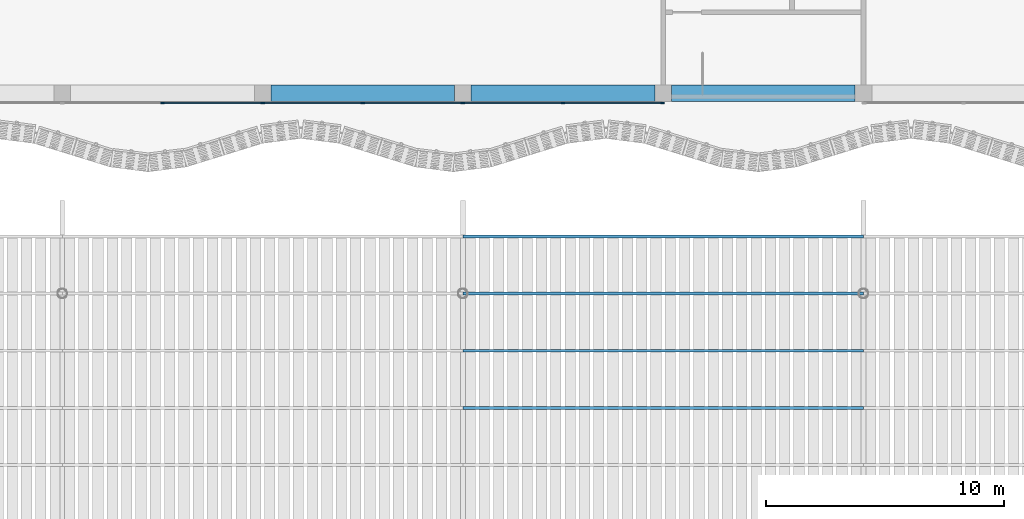
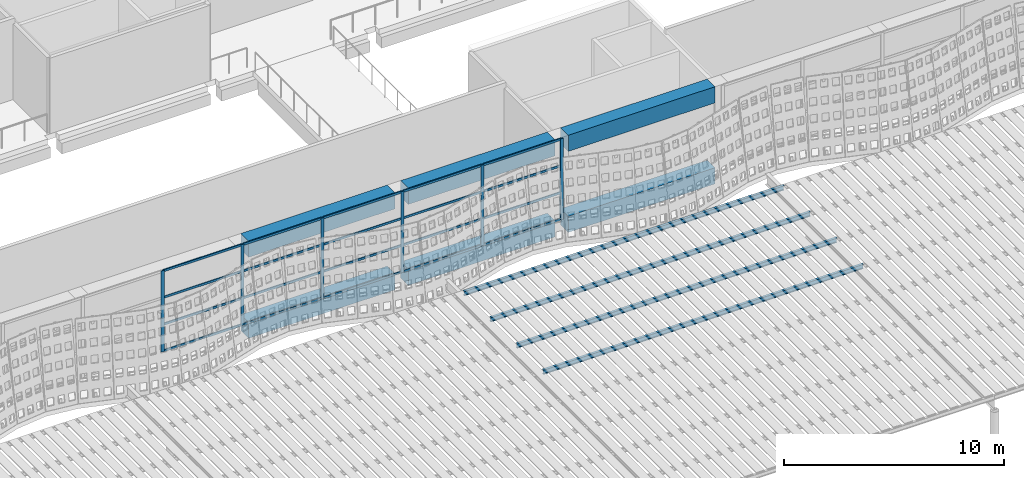
# One storey, part 34 of 162: 30 members, 6 beams, 1 element without a shape of its own.
"""IFC4 building model written with IfcOpenShell, lengths in metres."""

from ifc_helpers import new_model, si_unit, direction, frame, origin, origin_2d, place, context, subcontext, project, spatial, rectangle, i_section, extrude, material, layer, layer_set, material_profile, profile_set, type_object, element, aggregate, save


model = new_model("IFC4")

# Units and contexts
model_context = context("Model", 3, precision=1e-05, world=origin(), true_north=direction((0.0, 1.0)))
body_context = subcontext(model_context, "Body", "Model", "MODEL_VIEW")
ifc_project = project(units=[si_unit("LENGTHUNIT", "METRE"), si_unit("AREAUNIT", "SQUARE_METRE"), si_unit("VOLUMEUNIT", "CUBIC_METRE"), si_unit("PLANEANGLEUNIT", "RADIAN"), si_unit("MASSUNIT", "GRAM", prefix="KILO")], contexts=[model_context])

# Site, building, storey
site_placement = place(None, origin())
site = spatial("IfcSite", under=ifc_project, at=site_placement, CompositionType="ELEMENT")
building_placement = place(site_placement, origin())
building = spatial("IfcBuilding", under=site, at=building_placement, Name="Rain Tree Exposition and Congress Centre", CompositionType="ELEMENT")
storey_placement = place(building_placement, frame((0.0, 0.0, 6.0)))
storey = spatial("IfcBuildingStorey", under=building, at=storey_placement, Name="L01", CompositionType="ELEMENT", Elevation=6.0)

# Curtain wall, members
ifc_material_1 = material(Name="Aluminium curtain wall system", Category="aluminium")
ifc_layer = layer(ifc_material_1, 0.10009765625)
ifc_layer_set = layer_set([ifc_layer], Name="Aluminium curtain wall system")
curtain_wall_type = type_object("IfcCurtainWallType", Name="Concourse curtain wall 4200 module", PredefinedType="NOTDEFINED", material=ifc_layer_set)
curtain_wall_placement = place(storey_placement, origin())
curtain_wall = element("IfcCurtainWall", 1, at=curtain_wall_placement, inside=storey, type_object=curtain_wall_type, Name="Concourse curtain wall CWC24", PredefinedType="NOTDEFINED")
ifc_material_2 = material(Name="Aluminium mullion", Category="aluminium")
ifc_material_profile_1 = material_profile(ifc_material_2, rectangle(XDim=0.06005859375, YDim=0.159912109375, at=origin_2d()), Name="AL 60x160")
ifc_profile_set_1 = profile_set([ifc_material_profile_1], Name="Aluminium mullion")
member_type_1 = type_object("IfcMemberType", Name="Concourse curtain wall mullion 60x160", PredefinedType="MULLION", material=ifc_profile_set_1)
member_1_placement = place(storey_placement, frame((96.60009765625, 75.199951171875, 0.0), z_axis=(0.0, 0.0, 1.0), x_axis=(0.0, 1.0, 0.0)))
member_1 = element("IfcMember", 2, at=member_1_placement, type_object=member_type_1, Name="CWC24 mullion 4", PredefinedType="MULLION", context=body_context, shape_type="SweptSolid", body=[
    extrude(rectangle(XDim=0.06005859375, YDim=0.159912109375, at=origin_2d()), origin(), (0.0, 0.0, 1.0), 4.5),
])
member_2_placement = place(storey_placement, frame((100.800048828125, 75.199951171875, 0.0), z_axis=(0.0, 0.0, 1.0), x_axis=(0.0, 1.0, 0.0)))
member_2 = element("IfcMember", 3, at=member_2_placement, type_object=member_type_1, Name="CWC24 mullion 5", PredefinedType="MULLION", context=body_context, shape_type="SweptSolid", body=[
    extrude(rectangle(XDim=0.06005859375, YDim=0.159912109375, at=origin_2d()), origin(), (0.0, 0.0, 1.0), 4.5),
])
member_3_placement = place(storey_placement, frame((105.0, 75.199951171875, 0.0), z_axis=(0.0, 0.0, 1.0), x_axis=(0.0, 1.0, 0.0)))
member_3 = element("IfcMember", 4, at=member_3_placement, type_object=member_type_1, Name="CWC24 mullion 6", PredefinedType="MULLION", context=body_context, shape_type="SweptSolid", body=[
    extrude(rectangle(XDim=0.06005859375, YDim=0.159912109375, at=origin_2d()), origin(), (0.0, 0.0, 1.0), 4.5),
])
member_4_placement = place(storey_placement, frame((109.199951171875, 75.199951171875, 0.0), z_axis=(0.0, 0.0, 1.0), x_axis=(0.0, 1.0, 0.0)))
member_4 = element("IfcMember", 5, at=member_4_placement, type_object=member_type_1, Name="CWC24 mullion 7", PredefinedType="MULLION", context=body_context, shape_type="SweptSolid", body=[
    extrude(rectangle(XDim=0.06005859375, YDim=0.159912109375, at=origin_2d()), origin(), (0.0, 0.0, 1.0), 4.5),
])
member_5_placement = place(storey_placement, frame((113.39990234375, 75.199951171875, 0.0), z_axis=(0.0, 0.0, 1.0), x_axis=(0.0, 1.0, 0.0)))
member_5 = element("IfcMember", 6, at=member_5_placement, type_object=member_type_1, Name="CWC24 mullion 8", PredefinedType="MULLION", context=body_context, shape_type="SweptSolid", body=[
    extrude(rectangle(XDim=0.06005859375, YDim=0.159912109375, at=origin_2d()), origin(), (0.0, 0.0, 1.0), 4.5),
])
member_6_placement = place(storey_placement, frame((117.570068359375, 75.199951171875, 0.0), z_axis=(0.0, 0.0, 1.0), x_axis=(0.0, 1.0, 0.0)))
member_6 = element("IfcMember", 7, at=member_6_placement, type_object=member_type_1, Name="CWC24 mullion 9", PredefinedType="MULLION", context=body_context, shape_type="SweptSolid", body=[
    extrude(rectangle(XDim=0.06005859375, YDim=0.159912109375, at=origin_2d()), origin(), (0.0, 0.0, 1.0), 4.5),
])
ifc_material_3 = material(Name="Aluminium transom", Category="aluminium")
ifc_material_profile_2 = material_profile(ifc_material_3, rectangle(XDim=0.06005859375, YDim=0.1201171875, at=origin_2d()), Name="AL 60x120")
ifc_profile_set_2 = profile_set([ifc_material_profile_2], Name="Aluminium transom")
member_type_2 = type_object("IfcMemberType", Name="Concourse curtain wall transom 60x120", PredefinedType="USERDEFINED", material=ifc_profile_set_2)
member_7_placement = place(storey_placement, frame((96.6298828125, 75.199951171875, 0.030029296875), z_axis=(1.0, 0.0, 0.0), x_axis=(0.0, 1.0, 0.0)))
member_7 = element("IfcMember", 8, at=member_7_placement, type_object=member_type_2, Name="CWC24 transom 4.1", ObjectType="TRANSOM", PredefinedType="USERDEFINED", context=body_context, shape_type="SweptSolid", body=[
    extrude(rectangle(XDim=0.06005859375, YDim=0.1201171875, at=origin_2d()), origin(), (0.0, 0.0, 1.0), 4.14013671875),
])
member_8_placement = place(storey_placement, frame((96.6298828125, 75.199951171875, 1.5), z_axis=(1.0, 0.0, 0.0), x_axis=(0.0, 1.0, 0.0)))
member_8 = element("IfcMember", 9, at=member_8_placement, type_object=member_type_2, Name="CWC24 transom 4.2", ObjectType="TRANSOM", PredefinedType="USERDEFINED", context=body_context, shape_type="SweptSolid", body=[
    extrude(rectangle(XDim=0.06005859375, YDim=0.1201171875, at=origin_2d()), origin(), (0.0, 0.0, 1.0), 4.14013671875),
])
member_9_placement = place(storey_placement, frame((96.6298828125, 75.199951171875, 3.0), z_axis=(1.0, 0.0, 0.0), x_axis=(0.0, 1.0, 0.0)))
member_9 = element("IfcMember", 10, at=member_9_placement, type_object=member_type_2, Name="CWC24 transom 4.3", ObjectType="TRANSOM", PredefinedType="USERDEFINED", context=body_context, shape_type="SweptSolid", body=[
    extrude(rectangle(XDim=0.06005859375, YDim=0.1201171875, at=origin_2d()), origin(), (0.0, 0.0, 1.0), 4.14013671875),
])
member_10_placement = place(storey_placement, frame((96.6298828125, 75.199951171875, 4.469970703125), z_axis=(1.0, 0.0, 0.0), x_axis=(0.0, 1.0, 0.0)))
member_10 = element("IfcMember", 11, at=member_10_placement, type_object=member_type_2, Name="CWC24 transom 4.4", ObjectType="TRANSOM", PredefinedType="USERDEFINED", context=body_context, shape_type="SweptSolid", body=[
    extrude(rectangle(XDim=0.06005859375, YDim=0.1201171875, at=origin_2d()), origin(), (0.0, 0.0, 1.0), 4.14013671875),
])
member_11_placement = place(storey_placement, frame((100.830078125, 75.199951171875, 0.030029296875), z_axis=(1.0, 0.0, 0.0), x_axis=(0.0, 1.0, 0.0)))
member_11 = element("IfcMember", 12, at=member_11_placement, type_object=member_type_2, Name="CWC24 transom 5.1", ObjectType="TRANSOM", PredefinedType="USERDEFINED", context=body_context, shape_type="SweptSolid", body=[
    extrude(rectangle(XDim=0.06005859375, YDim=0.1201171875, at=origin_2d()), origin(), (0.0, 0.0, 1.0), 4.139892578125),
])
member_12_placement = place(storey_placement, frame((100.830078125, 75.199951171875, 1.5), z_axis=(1.0, 0.0, 0.0), x_axis=(0.0, 1.0, 0.0)))
member_12 = element("IfcMember", 13, at=member_12_placement, type_object=member_type_2, Name="CWC24 transom 5.2", ObjectType="TRANSOM", PredefinedType="USERDEFINED", context=body_context, shape_type="SweptSolid", body=[
    extrude(rectangle(XDim=0.06005859375, YDim=0.1201171875, at=origin_2d()), origin(), (0.0, 0.0, 1.0), 4.139892578125),
])
member_13_placement = place(storey_placement, frame((100.830078125, 75.199951171875, 3.0), z_axis=(1.0, 0.0, 0.0), x_axis=(0.0, 1.0, 0.0)))
member_13 = element("IfcMember", 14, at=member_13_placement, type_object=member_type_2, Name="CWC24 transom 5.3", ObjectType="TRANSOM", PredefinedType="USERDEFINED", context=body_context, shape_type="SweptSolid", body=[
    extrude(rectangle(XDim=0.06005859375, YDim=0.1201171875, at=origin_2d()), origin(), (0.0, 0.0, 1.0), 4.139892578125),
])
member_14_placement = place(storey_placement, frame((100.830078125, 75.199951171875, 4.469970703125), z_axis=(1.0, 0.0, 0.0), x_axis=(0.0, 1.0, 0.0)))
member_14 = element("IfcMember", 15, at=member_14_placement, type_object=member_type_2, Name="CWC24 transom 5.4", ObjectType="TRANSOM", PredefinedType="USERDEFINED", context=body_context, shape_type="SweptSolid", body=[
    extrude(rectangle(XDim=0.06005859375, YDim=0.1201171875, at=origin_2d()), origin(), (0.0, 0.0, 1.0), 4.139892578125),
])
member_15_placement = place(storey_placement, frame((105.030029296875, 75.199951171875, 0.030029296875), z_axis=(1.0, 0.0, 0.0), x_axis=(0.0, 1.0, 0.0)))
member_15 = element("IfcMember", 16, at=member_15_placement, type_object=member_type_2, Name="CWC24 transom 6.1", ObjectType="TRANSOM", PredefinedType="USERDEFINED", context=body_context, shape_type="SweptSolid", body=[
    extrude(rectangle(XDim=0.06005859375, YDim=0.1201171875, at=origin_2d()), origin(), (0.0, 0.0, 1.0), 4.139892578125),
])
member_16_placement = place(storey_placement, frame((105.030029296875, 75.199951171875, 1.5), z_axis=(1.0, 0.0, 0.0), x_axis=(0.0, 1.0, 0.0)))
member_16 = element("IfcMember", 17, at=member_16_placement, type_object=member_type_2, Name="CWC24 transom 6.2", ObjectType="TRANSOM", PredefinedType="USERDEFINED", context=body_context, shape_type="SweptSolid", body=[
    extrude(rectangle(XDim=0.06005859375, YDim=0.1201171875, at=origin_2d()), origin(), (0.0, 0.0, 1.0), 4.139892578125),
])
member_17_placement = place(storey_placement, frame((105.030029296875, 75.199951171875, 3.0), z_axis=(1.0, 0.0, 0.0), x_axis=(0.0, 1.0, 0.0)))
member_17 = element("IfcMember", 18, at=member_17_placement, type_object=member_type_2, Name="CWC24 transom 6.3", ObjectType="TRANSOM", PredefinedType="USERDEFINED", context=body_context, shape_type="SweptSolid", body=[
    extrude(rectangle(XDim=0.06005859375, YDim=0.1201171875, at=origin_2d()), origin(), (0.0, 0.0, 1.0), 4.139892578125),
])
member_18_placement = place(storey_placement, frame((105.030029296875, 75.199951171875, 4.469970703125), z_axis=(1.0, 0.0, 0.0), x_axis=(0.0, 1.0, 0.0)))
member_18 = element("IfcMember", 19, at=member_18_placement, type_object=member_type_2, Name="CWC24 transom 6.4", ObjectType="TRANSOM", PredefinedType="USERDEFINED", context=body_context, shape_type="SweptSolid", body=[
    extrude(rectangle(XDim=0.06005859375, YDim=0.1201171875, at=origin_2d()), origin(), (0.0, 0.0, 1.0), 4.139892578125),
])
member_19_placement = place(storey_placement, frame((109.22998046875, 75.199951171875, 0.030029296875), z_axis=(1.0, 0.0, 0.0), x_axis=(0.0, 1.0, 0.0)))
member_19 = element("IfcMember", 20, at=member_19_placement, type_object=member_type_2, Name="CWC24 transom 7.1", ObjectType="TRANSOM", PredefinedType="USERDEFINED", context=body_context, shape_type="SweptSolid", body=[
    extrude(rectangle(XDim=0.06005859375, YDim=0.1201171875, at=origin_2d()), origin(), (0.0, 0.0, 1.0), 4.14013671875),
])
member_20_placement = place(storey_placement, frame((109.22998046875, 75.199951171875, 1.5), z_axis=(1.0, 0.0, 0.0), x_axis=(0.0, 1.0, 0.0)))
member_20 = element("IfcMember", 21, at=member_20_placement, type_object=member_type_2, Name="CWC24 transom 7.2", ObjectType="TRANSOM", PredefinedType="USERDEFINED", context=body_context, shape_type="SweptSolid", body=[
    extrude(rectangle(XDim=0.06005859375, YDim=0.1201171875, at=origin_2d()), origin(), (0.0, 0.0, 1.0), 4.14013671875),
])
member_21_placement = place(storey_placement, frame((109.22998046875, 75.199951171875, 3.0), z_axis=(1.0, 0.0, 0.0), x_axis=(0.0, 1.0, 0.0)))
member_21 = element("IfcMember", 22, at=member_21_placement, type_object=member_type_2, Name="CWC24 transom 7.3", ObjectType="TRANSOM", PredefinedType="USERDEFINED", context=body_context, shape_type="SweptSolid", body=[
    extrude(rectangle(XDim=0.06005859375, YDim=0.1201171875, at=origin_2d()), origin(), (0.0, 0.0, 1.0), 4.14013671875),
])
member_22_placement = place(storey_placement, frame((109.22998046875, 75.199951171875, 4.469970703125), z_axis=(1.0, 0.0, 0.0), x_axis=(0.0, 1.0, 0.0)))
member_22 = element("IfcMember", 23, at=member_22_placement, type_object=member_type_2, Name="CWC24 transom 7.4", ObjectType="TRANSOM", PredefinedType="USERDEFINED", context=body_context, shape_type="SweptSolid", body=[
    extrude(rectangle(XDim=0.06005859375, YDim=0.1201171875, at=origin_2d()), origin(), (0.0, 0.0, 1.0), 4.14013671875),
])
member_23_placement = place(storey_placement, frame((113.429931640625, 75.199951171875, 0.030029296875), z_axis=(1.0, 0.0, 0.0), x_axis=(0.0, 1.0, 0.0)))
member_23 = element("IfcMember", 24, at=member_23_placement, type_object=member_type_2, Name="CWC24 transom 8.1", ObjectType="TRANSOM", PredefinedType="USERDEFINED", context=body_context, shape_type="SweptSolid", body=[
    extrude(rectangle(XDim=0.06005859375, YDim=0.1201171875, at=origin_2d()), origin(), (0.0, 0.0, 1.0), 4.110107421875),
])
member_24_placement = place(storey_placement, frame((113.429931640625, 75.199951171875, 1.5), z_axis=(1.0, 0.0, 0.0), x_axis=(0.0, 1.0, 0.0)))
member_24 = element("IfcMember", 25, at=member_24_placement, type_object=member_type_2, Name="CWC24 transom 8.2", ObjectType="TRANSOM", PredefinedType="USERDEFINED", context=body_context, shape_type="SweptSolid", body=[
    extrude(rectangle(XDim=0.06005859375, YDim=0.1201171875, at=origin_2d()), origin(), (0.0, 0.0, 1.0), 4.110107421875),
])
member_25_placement = place(storey_placement, frame((113.429931640625, 75.199951171875, 3.0), z_axis=(1.0, 0.0, 0.0), x_axis=(0.0, 1.0, 0.0)))
member_25 = element("IfcMember", 26, at=member_25_placement, type_object=member_type_2, Name="CWC24 transom 8.3", ObjectType="TRANSOM", PredefinedType="USERDEFINED", context=body_context, shape_type="SweptSolid", body=[
    extrude(rectangle(XDim=0.06005859375, YDim=0.1201171875, at=origin_2d()), origin(), (0.0, 0.0, 1.0), 4.110107421875),
])
member_26_placement = place(storey_placement, frame((113.429931640625, 75.199951171875, 4.469970703125), z_axis=(1.0, 0.0, 0.0), x_axis=(0.0, 1.0, 0.0)))
member_26 = element("IfcMember", 27, at=member_26_placement, type_object=member_type_2, Name="CWC24 transom 8.4", ObjectType="TRANSOM", PredefinedType="USERDEFINED", context=body_context, shape_type="SweptSolid", body=[
    extrude(rectangle(XDim=0.06005859375, YDim=0.1201171875, at=origin_2d()), origin(), (0.0, 0.0, 1.0), 4.110107421875),
])
aggregate(curtain_wall, [member_1, member_2, member_3, member_4, member_5, member_6, member_7, member_8, member_9, member_10, member_11, member_12, member_13, member_14, member_15, member_16, member_17, member_18, member_19, member_20, member_21, member_22, member_23, member_24, member_25, member_26])

# Beams
ifc_material_4 = material(Name="Precast concrete C50/60", Category="concrete")
ifc_material_profile_3 = material_profile(ifc_material_4, rectangle(XDim=0.699951171875, YDim=0.89990234375, at=origin_2d()), Name="RC 700x900")
ifc_profile_set_3 = profile_set([ifc_material_profile_3], Name="Precast concrete C50/60")
beam_type = type_object("IfcBeamType", Name="Precast beam 700x900", PredefinedType="BEAM", material=ifc_profile_set_3)
beam_1_placement = place(storey_placement, frame((101.14990234375, 75.60009765625, -0.449951171875), z_axis=(1.0, 0.0, 0.0), x_axis=(0.0, 1.0, 0.0)))
element("IfcBeam", 28, at=beam_1_placement, inside=storey, type_object=beam_type, Name="Concourse edge beam 13", PredefinedType="BEAM", context=body_context, shape_type="SweptSolid", body=[
    extrude(rectangle(XDim=0.699951171875, YDim=0.89990234375, at=origin_2d()), origin(), (0.0, 0.0, 1.0), 7.7001953125),
])
for number, where, z_axis, x_axis, name in (
    (29, (109.550048828125, 75.60009765625, -0.449951171875), (1.0, 0.0, 0.0), (0.0, 1.0, 0.0), "Concourse edge beam 14"),
    (30, (117.949951171875, 75.60009765625, -0.449951171875), (1.0, 0.0, 0.0), (0.0, 1.0, 0.0), "Concourse edge beam 15"),
):
    element("IfcBeam", number, at=place(storey_placement, frame(where, z_axis=z_axis, x_axis=x_axis)), inside=storey, type_object=beam_type, Name=name, PredefinedType="BEAM", context=body_context, shape_type="SweptSolid", body=[
        extrude(rectangle(XDim=0.699951171875, YDim=0.89990234375, at=origin_2d()), origin(), (0.0, 0.0, 1.0), 7.699951171875),
    ])
beam_2_placement = place(storey_placement, frame((101.14990234375, 75.60009765625, 4.050048828125), z_axis=(1.0, 0.0, 0.0), x_axis=(0.0, 1.0, 0.0)))
element("IfcBeam", 31, at=beam_2_placement, inside=storey, type_object=beam_type, Name="Concourse roof edge beam 13", PredefinedType="BEAM", context=body_context, shape_type="SweptSolid", body=[
    extrude(rectangle(XDim=0.699951171875, YDim=0.89990234375, at=origin_2d()), origin(), (0.0, 0.0, 1.0), 7.7001953125),
])
for number, where, z_axis, x_axis, name in (
    (32, (109.550048828125, 75.60009765625, 4.050048828125), (1.0, 0.0, 0.0), (0.0, 1.0, 0.0), "Concourse roof edge beam 14"),
    (33, (117.949951171875, 75.60009765625, 4.050048828125), (1.0, 0.0, 0.0), (0.0, 1.0, 0.0), "Concourse roof edge beam 15"),
):
    element("IfcBeam", number, at=place(storey_placement, frame(where, z_axis=z_axis, x_axis=x_axis)), inside=storey, type_object=beam_type, Name=name, PredefinedType="BEAM", context=body_context, shape_type="SweptSolid", body=[
        extrude(rectangle(XDim=0.699951171875, YDim=0.89990234375, at=origin_2d()), origin(), (0.0, 0.0, 1.0), 7.699951171875),
    ])

# Members
ifc_material_5 = material(Name="Steel S355J2", Category="steel")
ifc_material_profile_4 = material_profile(ifc_material_5, i_section(OverallWidth=0.125, OverallDepth=0.25, WebThickness=0.006103515625, FlangeThickness=0.009033203125, FilletRadius=0.008056640625, at=origin_2d()), Name="H 250x125x6x9")
ifc_profile_set_4 = profile_set([ifc_material_profile_4], Name="Steel S355J2")
member_type_3 = type_object("IfcMemberType", Name="Steel purlin H 250x125x6x9", PredefinedType="PURLIN", material=ifc_profile_set_4)
for number, where, z_axis, x_axis, name in (
    (34, (109.199951171875, 62.39990234375, 2.22509765625), (1.0, 0.0, 0.0), (0.0, 1.0, 0.0), "Canopy purlin 29"),
    (35, (109.199951171875, 64.800048828125, 2.22509765625), (1.0, 0.0, 0.0), (0.0, 1.0, 0.0), "Canopy purlin 34"),
    (36, (109.199951171875, 67.199951171875, 2.22509765625), (1.0, 0.0, 0.0), (0.0, 1.0, 0.0), "Canopy purlin 39"),
    (37, (109.199951171875, 69.60009765625, 2.22509765625), (1.0, 0.0, 0.0), (0.0, 1.0, 0.0), "Canopy purlin 44"),
):
    element("IfcMember", number, at=place(storey_placement, frame(where, z_axis=z_axis, x_axis=x_axis)), inside=storey, type_object=member_type_3, Name=name, PredefinedType="PURLIN", context=body_context, shape_type="SweptSolid", body=[
        extrude(i_section(OverallWidth=0.125, OverallDepth=0.25, WebThickness=0.006103515625, FlangeThickness=0.009033203125, FilletRadius=0.008056640625, at=origin_2d()), origin(), (0.0, 0.0, 1.0), 16.800048828125),
    ])

save(model, "model.ifc")
